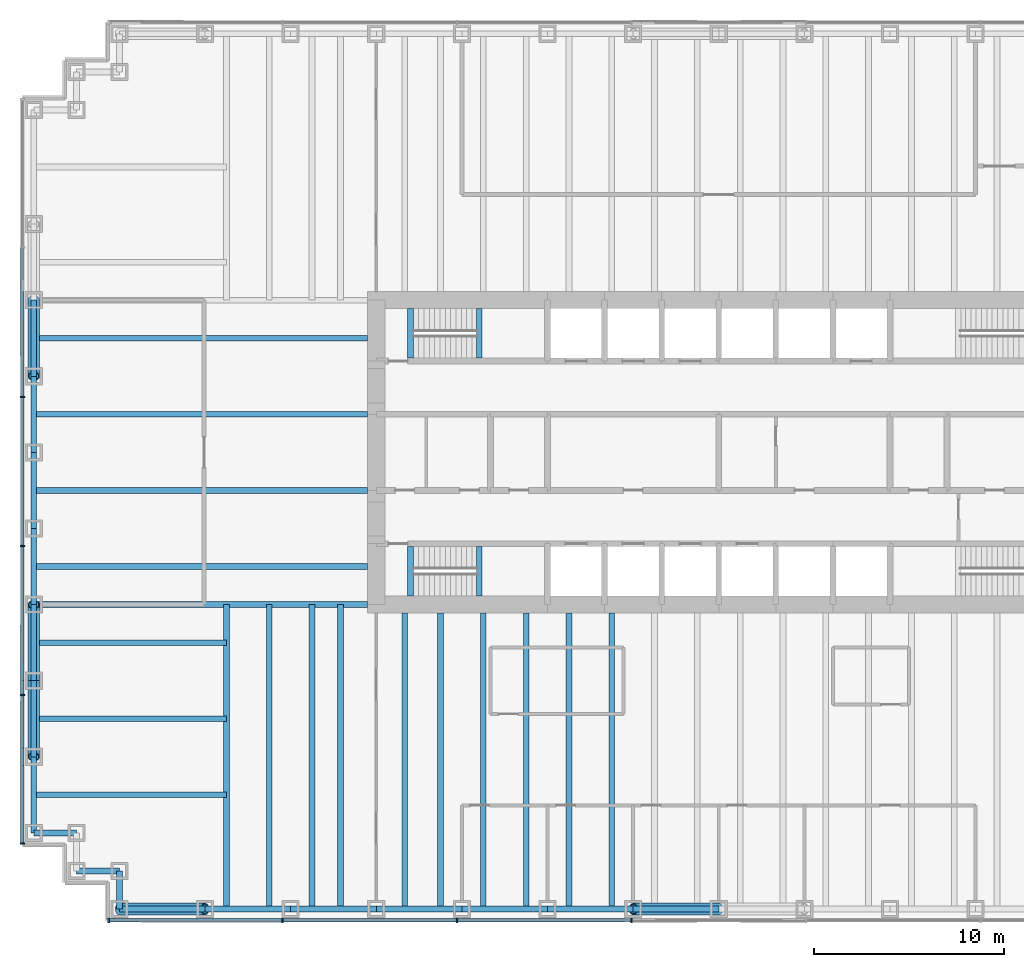
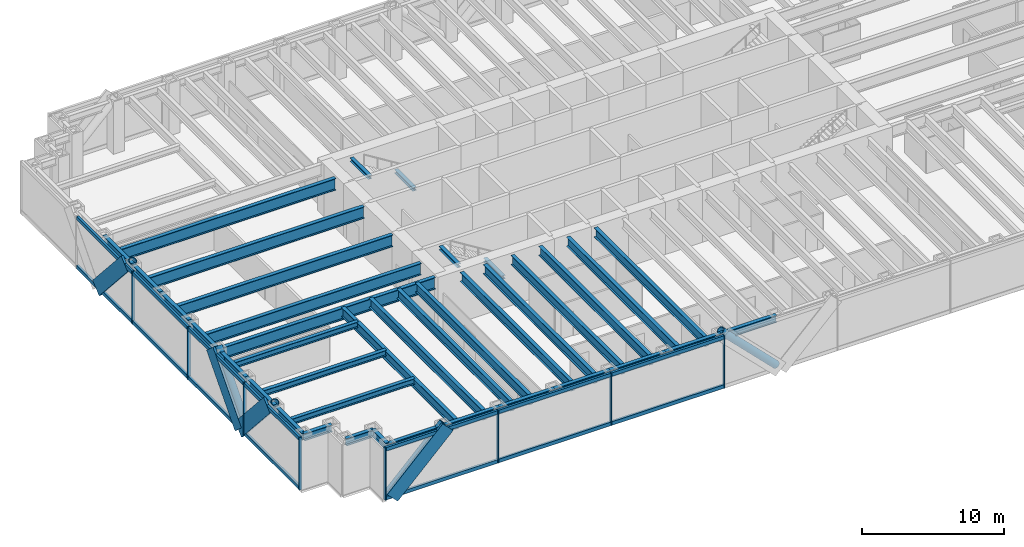
# One storey, part 2 of 13: 39 beams, 31 members, 2 elements without a shape of their own.
"""IFC4 building model written with IfcOpenShell, lengths in metres."""

from ifc_helpers import new_model, si_unit, direction, frame, origin, origin_2d, place, context, subcontext, project, spatial, rectangle, hollow_circle, i_section, extrude, material, material_profile, profile_set, type_object, element, aggregate, save


model = new_model("IFC4")

# Units and contexts
model_context = context("Model", 3, precision=1e-05, world=origin(), true_north=direction((0.0, 1.0)))
body_context = subcontext(model_context, "Body", "Model", "MODEL_VIEW")
ifc_project = project(units=[si_unit("LENGTHUNIT", "METRE"), si_unit("AREAUNIT", "SQUARE_METRE"), si_unit("VOLUMEUNIT", "CUBIC_METRE"), si_unit("PLANEANGLEUNIT", "RADIAN"), si_unit("MASSUNIT", "GRAM", prefix="KILO")], contexts=[model_context])

# Site, building, storey
site_placement = place(None, origin())
site = spatial("IfcSite", under=ifc_project, at=site_placement, CompositionType="ELEMENT")
building_placement = place(site_placement, origin())
building = spatial("IfcBuilding", under=site, at=building_placement, Name="Rheinbord Bourse Tower", CompositionType="ELEMENT")
storey_placement = place(building_placement, frame((0.0, 0.0, 32.0)))
storey = spatial("IfcBuildingStorey", under=building, at=storey_placement, Name="L06", CompositionType="ELEMENT", Elevation=32.0)

# Curtain wall, member
ifc_material_1 = material(Name="Dark glass and black aluminium", Category="aluminium")
curtain_wall_type = type_object("IfcCurtainWallType", Name="CW1 DARK GLASS CURTAIN WALL", PredefinedType="USERDEFINED", material=ifc_material_1)
curtain_wall_1_placement = place(storey_placement, origin())
curtain_wall_1 = element("IfcCurtainWall", 1, at=curtain_wall_1_placement, inside=storey, type_object=curtain_wall_type, Name="Curtain wall CW1 S L06", ObjectType="UNITISED CURTAIN WALL", PredefinedType="USERDEFINED")
ifc_material_2 = material(Name="Black anodised aluminium", Category="aluminium")
ifc_material_profile_1 = material_profile(ifc_material_2, rectangle(XDim=0.179931640625, YDim=1.2099609375, at=origin_2d()), Name="CW1 DIAGONAL MULLION 1210x180")
ifc_profile_set_1 = profile_set([ifc_material_profile_1], Name="Black anodised aluminium")
member_type_1 = type_object("IfcMemberType", Name="CW1 BLACK DIAGONAL MULLION", PredefinedType="USERDEFINED", material=ifc_profile_set_1)
member_1_placement = place(storey_placement, frame((4.5, -0.60009765625, 0.0), z_axis=(0.707106781187, 0.0, 0.707106781187), x_axis=(0.0, 1.0, 0.0)))
member_1 = element("IfcMember", 2, at=member_1_placement, type_object=member_type_1, Name="CW1 diagonal mullion d", ObjectType="DIAGONAL MULLION", PredefinedType="USERDEFINED", context=body_context, shape_type="SweptSolid", body=[
    extrude(rectangle(XDim=0.179931640625, YDim=1.2099609375, at=origin_2d()), origin(), (0.0, 0.0, 1.0), 6.364013671875),
])

# Curtain wall, members
curtain_wall_2_placement = place(storey_placement, origin())
curtain_wall_2 = element("IfcCurtainWall", 3, at=curtain_wall_2_placement, inside=storey, type_object=curtain_wall_type, Name="Curtain wall CW1 W L06", ObjectType="UNITISED CURTAIN WALL", PredefinedType="USERDEFINED")
member_2_placement = place(storey_placement, frame((-0.60009765625, 12.0, 0.0), z_axis=(0.0, -0.66436383883, 0.747409318684), x_axis=(1.0, 0.0, 0.0)))
member_2 = element("IfcMember", 4, at=member_2_placement, type_object=member_type_1, Name="CW1 diagonal mullion b", ObjectType="DIAGONAL MULLION", PredefinedType="USERDEFINED", context=body_context, shape_type="SweptSolid", body=[
    extrude(rectangle(XDim=0.179931640625, YDim=1.2099609375, at=origin_2d()), origin(), (0.0, 0.0, 1.0), 6.020751953125),
])
member_3_placement = place(storey_placement, frame((-0.60009765625, 32.0, 0.0), z_axis=(0.0, -0.66436383883, 0.747409318684), x_axis=(1.0, 0.0, 0.0)))
member_3 = element("IfcMember", 5, at=member_3_placement, type_object=member_type_1, Name="CW1 diagonal mullion c", ObjectType="DIAGONAL MULLION", PredefinedType="USERDEFINED", context=body_context, shape_type="SweptSolid", body=[
    extrude(rectangle(XDim=0.179931640625, YDim=1.2099609375, at=origin_2d()), origin(), (0.0, 0.0, 1.0), 6.020751953125),
])
member_4_placement = place(storey_placement, frame((-0.60009765625, 12.0, 0.0), z_axis=(0.0, 0.66436383883, 0.747409318684), x_axis=(-1.0, 0.0, 0.0)))
member_4 = element("IfcMember", 6, at=member_4_placement, type_object=member_type_1, Name="CW1 diagonal mullion d", ObjectType="DIAGONAL MULLION", PredefinedType="USERDEFINED", context=body_context, shape_type="SweptSolid", body=[
    extrude(rectangle(XDim=0.179931640625, YDim=1.2099609375, at=origin_2d()), origin(), (0.0, 0.0, 1.0), 6.020751953125),
])

# Member
ifc_material_3 = material(Name="Black anodised aluminium", Category="aluminium")
ifc_material_profile_2 = material_profile(ifc_material_3, rectangle(XDim=0.25, YDim=0.080078125, at=origin_2d()), Name="CW1 MULLION 80x250")
ifc_profile_set_2 = profile_set([ifc_material_profile_2], Name="Black anodised aluminium")
member_type_2 = type_object("IfcMemberType", Name="CW1 BLACK MULLION", PredefinedType="MULLION", material=ifc_profile_set_2)
member_5_placement = place(storey_placement, frame((3.93994140625, -0.60009765625, 0.0), z_axis=(0.0, 0.0, 1.0), x_axis=(0.0, 1.0, 0.0)))
member_5 = element("IfcMember", 7, at=member_5_placement, type_object=member_type_2, Name="CW1 mullion 1", PredefinedType="MULLION", context=body_context, shape_type="SweptSolid", body=[
    extrude(rectangle(XDim=0.25, YDim=0.080078125, at=origin_2d()), origin(), (0.0, 0.0, 1.0), 4.5),
])

member_6_placement = place(storey_placement, frame((13.071533203125, -0.60009765625, 0.0), z_axis=(0.0, 0.0, 1.0), x_axis=(0.0, 1.0, 0.0)))
member_6 = element("IfcMember", 8, at=member_6_placement, type_object=member_type_2, Name="CW1 mullion 2", PredefinedType="MULLION", context=body_context, shape_type="SweptSolid", body=[
    extrude(rectangle(XDim=0.25, YDim=0.080078125, at=origin_2d()), origin(), (0.0, 0.0, 1.0), 4.5),
])

member_7_placement = place(storey_placement, frame((22.242919921875, -0.60009765625, 0.0), z_axis=(0.0, 0.0, 1.0), x_axis=(0.0, 1.0, 0.0)))
member_7 = element("IfcMember", 9, at=member_7_placement, type_object=member_type_2, Name="CW1 mullion 3", PredefinedType="MULLION", context=body_context, shape_type="SweptSolid", body=[
    extrude(rectangle(XDim=0.25, YDim=0.080078125, at=origin_2d()), origin(), (0.0, 0.0, 1.0), 4.5),
])

member_8_placement = place(storey_placement, frame((31.414306640625, -0.60009765625, 0.0), z_axis=(0.0, 0.0, 1.0), x_axis=(0.0, 1.0, 0.0)))
member_8 = element("IfcMember", 10, at=member_8_placement, type_object=member_type_2, Name="CW1 mullion 4", PredefinedType="MULLION", context=body_context, shape_type="SweptSolid", body=[
    extrude(rectangle(XDim=0.25, YDim=0.080078125, at=origin_2d()), origin(), (0.0, 0.0, 1.0), 4.5),
])

member_9_placement = place(storey_placement, frame((-0.60009765625, 26.919921875, 0.0), z_axis=(0.0, 0.0, 1.0), x_axis=(1.0, 0.0, 0.0)))
member_9 = element("IfcMember", 11, at=member_9_placement, type_object=member_type_2, Name="CW1 mullion 3", PredefinedType="MULLION", context=body_context, shape_type="SweptSolid", body=[
    extrude(rectangle(XDim=0.25, YDim=0.080078125, at=origin_2d()), origin(), (0.0, 0.0, 1.0), 4.5),
])

member_10_placement = place(storey_placement, frame((-0.60009765625, 19.080078125, 0.0), z_axis=(0.0, 0.0, 1.0), x_axis=(1.0, 0.0, 0.0)))
member_10 = element("IfcMember", 12, at=member_10_placement, type_object=member_type_2, Name="CW1 mullion 4", PredefinedType="MULLION", context=body_context, shape_type="SweptSolid", body=[
    extrude(rectangle(XDim=0.25, YDim=0.080078125, at=origin_2d()), origin(), (0.0, 0.0, 1.0), 4.5),
])

member_11_placement = place(storey_placement, frame((-0.60009765625, 11.239990234375, 0.0), z_axis=(0.0, 0.0, 1.0), x_axis=(1.0, 0.0, 0.0)))
member_11 = element("IfcMember", 13, at=member_11_placement, type_object=member_type_2, Name="CW1 mullion 5", PredefinedType="MULLION", context=body_context, shape_type="SweptSolid", body=[
    extrude(rectangle(XDim=0.25, YDim=0.080078125, at=origin_2d()), origin(), (0.0, 0.0, 1.0), 4.5),
])

member_12_placement = place(storey_placement, frame((-0.60009765625, 3.43994140625, 0.0), z_axis=(0.0, 0.0, 1.0), x_axis=(1.0, 0.0, 0.0)))
member_12 = element("IfcMember", 14, at=member_12_placement, type_object=member_type_2, Name="CW1 mullion 6", PredefinedType="MULLION", context=body_context, shape_type="SweptSolid", body=[
    extrude(rectangle(XDim=0.25, YDim=0.080078125, at=origin_2d()), origin(), (0.0, 0.0, 1.0), 4.5),
])

ifc_material_4 = material(Name="Black anodised aluminium", Category="aluminium")
ifc_material_profile_3 = material_profile(ifc_material_4, rectangle(XDim=0.179931640625, YDim=0.300048828125, at=origin_2d()), Name="CW1 TRANSOM 300x180")
ifc_profile_set_3 = profile_set([ifc_material_profile_3], Name="Black anodised aluminium")
member_type_3 = type_object("IfcMemberType", Name="CW1 BLACK TRANSOM", PredefinedType="USERDEFINED", material=ifc_profile_set_3)
member_13_placement = place(storey_placement, frame((3.97998046875, -0.60009765625, 0.14990234375), z_axis=(1.0, 0.0, 0.0), x_axis=(0.0, 1.0, 0.0)))
member_13 = element("IfcMember", 15, at=member_13_placement, type_object=member_type_3, Name="CW1 transom 1.1", ObjectType="TRANSOM", PredefinedType="USERDEFINED", context=body_context, shape_type="SweptSolid", body=[
    extrude(rectangle(XDim=0.179931640625, YDim=0.300048828125, at=origin_2d()), origin(), (0.0, 0.0, 1.0), 9.051513671875),
])

member_14_placement = place(storey_placement, frame((3.97998046875, -0.60009765625, 4.35009765625), z_axis=(1.0, 0.0, 0.0), x_axis=(0.0, 1.0, 0.0)))
member_14 = element("IfcMember", 16, at=member_14_placement, type_object=member_type_3, Name="CW1 transom 1.2", ObjectType="TRANSOM", PredefinedType="USERDEFINED", context=body_context, shape_type="SweptSolid", body=[
    extrude(rectangle(XDim=0.179931640625, YDim=0.300048828125, at=origin_2d()), origin(), (0.0, 0.0, 1.0), 9.051513671875),
])

member_15_placement = place(storey_placement, frame((13.111328125, -0.60009765625, 0.14990234375), z_axis=(1.0, 0.0, 0.0), x_axis=(0.0, 1.0, 0.0)))
member_15 = element("IfcMember", 17, at=member_15_placement, type_object=member_type_3, Name="CW1 transom 2.1", ObjectType="TRANSOM", PredefinedType="USERDEFINED", context=body_context, shape_type="SweptSolid", body=[
    extrude(rectangle(XDim=0.179931640625, YDim=0.300048828125, at=origin_2d()), origin(), (0.0, 0.0, 1.0), 9.091552734375),
])

member_16_placement = place(storey_placement, frame((13.111328125, -0.60009765625, 4.35009765625), z_axis=(1.0, 0.0, 0.0), x_axis=(0.0, 1.0, 0.0)))
member_16 = element("IfcMember", 18, at=member_16_placement, type_object=member_type_3, Name="CW1 transom 2.2", ObjectType="TRANSOM", PredefinedType="USERDEFINED", context=body_context, shape_type="SweptSolid", body=[
    extrude(rectangle(XDim=0.179931640625, YDim=0.300048828125, at=origin_2d()), origin(), (0.0, 0.0, 1.0), 9.091552734375),
])

member_17_placement = place(storey_placement, frame((22.282958984375, -0.60009765625, 0.14990234375), z_axis=(1.0, 0.0, 0.0), x_axis=(0.0, 1.0, 0.0)))
member_17 = element("IfcMember", 19, at=member_17_placement, type_object=member_type_3, Name="CW1 transom 3.1", ObjectType="TRANSOM", PredefinedType="USERDEFINED", context=body_context, shape_type="SweptSolid", body=[
    extrude(rectangle(XDim=0.179931640625, YDim=0.300048828125, at=origin_2d()), origin(), (0.0, 0.0, 1.0), 9.09130859375),
])

member_18_placement = place(storey_placement, frame((22.282958984375, -0.60009765625, 4.35009765625), z_axis=(1.0, 0.0, 0.0), x_axis=(0.0, 1.0, 0.0)))
member_18 = element("IfcMember", 20, at=member_18_placement, type_object=member_type_3, Name="CW1 transom 3.2", ObjectType="TRANSOM", PredefinedType="USERDEFINED", context=body_context, shape_type="SweptSolid", body=[
    extrude(rectangle(XDim=0.179931640625, YDim=0.300048828125, at=origin_2d()), origin(), (0.0, 0.0, 1.0), 9.09130859375),
])

aggregate(curtain_wall_1, [member_5, member_6, member_7, member_8, member_13, member_14, member_15, member_16, member_17, member_18, member_1])

member_19_placement = place(storey_placement, frame((-0.60009765625, 34.719970703125, 0.14990234375), z_axis=(0.0, -1.0, 0.0), x_axis=(1.0, 0.0, 0.0)))
member_19 = element("IfcMember", 21, at=member_19_placement, type_object=member_type_3, Name="CW1 transom 2.1", ObjectType="TRANSOM", PredefinedType="USERDEFINED", context=body_context, shape_type="SweptSolid", body=[
    extrude(rectangle(XDim=0.179931640625, YDim=0.300048828125, at=origin_2d()), origin(), (0.0, 0.0, 1.0), 7.760009765625),
])

member_20_placement = place(storey_placement, frame((-0.60009765625, 34.719970703125, 4.35009765625), z_axis=(0.0, -1.0, 0.0), x_axis=(1.0, 0.0, 0.0)))
member_20 = element("IfcMember", 22, at=member_20_placement, type_object=member_type_3, Name="CW1 transom 2.2", ObjectType="TRANSOM", PredefinedType="USERDEFINED", context=body_context, shape_type="SweptSolid", body=[
    extrude(rectangle(XDim=0.179931640625, YDim=0.300048828125, at=origin_2d()), origin(), (0.0, 0.0, 1.0), 7.760009765625),
])

member_21_placement = place(storey_placement, frame((-0.60009765625, 26.8798828125, 0.14990234375), z_axis=(0.0, -1.0, 0.0), x_axis=(1.0, 0.0, 0.0)))
member_21 = element("IfcMember", 23, at=member_21_placement, type_object=member_type_3, Name="CW1 transom 3.1", ObjectType="TRANSOM", PredefinedType="USERDEFINED", context=body_context, shape_type="SweptSolid", body=[
    extrude(rectangle(XDim=0.179931640625, YDim=0.300048828125, at=origin_2d()), origin(), (0.0, 0.0, 1.0), 7.759765625),
])

member_22_placement = place(storey_placement, frame((-0.60009765625, 26.8798828125, 4.35009765625), z_axis=(0.0, -1.0, 0.0), x_axis=(1.0, 0.0, 0.0)))
member_22 = element("IfcMember", 24, at=member_22_placement, type_object=member_type_3, Name="CW1 transom 3.2", ObjectType="TRANSOM", PredefinedType="USERDEFINED", context=body_context, shape_type="SweptSolid", body=[
    extrude(rectangle(XDim=0.179931640625, YDim=0.300048828125, at=origin_2d()), origin(), (0.0, 0.0, 1.0), 7.759765625),
])

member_23_placement = place(storey_placement, frame((-0.60009765625, 19.0400390625, 0.14990234375), z_axis=(0.0, -1.0, 0.0), x_axis=(1.0, 0.0, 0.0)))
member_23 = element("IfcMember", 25, at=member_23_placement, type_object=member_type_3, Name="CW1 transom 4.1", ObjectType="TRANSOM", PredefinedType="USERDEFINED", context=body_context, shape_type="SweptSolid", body=[
    extrude(rectangle(XDim=0.179931640625, YDim=0.300048828125, at=origin_2d()), origin(), (0.0, 0.0, 1.0), 7.760009765625),
])

member_24_placement = place(storey_placement, frame((-0.60009765625, 19.0400390625, 4.35009765625), z_axis=(0.0, -1.0, 0.0), x_axis=(1.0, 0.0, 0.0)))
member_24 = element("IfcMember", 26, at=member_24_placement, type_object=member_type_3, Name="CW1 transom 4.2", ObjectType="TRANSOM", PredefinedType="USERDEFINED", context=body_context, shape_type="SweptSolid", body=[
    extrude(rectangle(XDim=0.179931640625, YDim=0.300048828125, at=origin_2d()), origin(), (0.0, 0.0, 1.0), 7.760009765625),
])

member_25_placement = place(storey_placement, frame((-0.60009765625, 11.199951171875, 0.14990234375), z_axis=(0.0, -1.0, 0.0), x_axis=(1.0, 0.0, 0.0)))
member_25 = element("IfcMember", 27, at=member_25_placement, type_object=member_type_3, Name="CW1 transom 5.1", ObjectType="TRANSOM", PredefinedType="USERDEFINED", context=body_context, shape_type="SweptSolid", body=[
    extrude(rectangle(XDim=0.179931640625, YDim=0.300048828125, at=origin_2d()), origin(), (0.0, 0.0, 1.0), 7.719970703125),
])

member_26_placement = place(storey_placement, frame((-0.60009765625, 11.199951171875, 4.35009765625), z_axis=(0.0, -1.0, 0.0), x_axis=(1.0, 0.0, 0.0)))
member_26 = element("IfcMember", 28, at=member_26_placement, type_object=member_type_3, Name="CW1 transom 5.2", ObjectType="TRANSOM", PredefinedType="USERDEFINED", context=body_context, shape_type="SweptSolid", body=[
    extrude(rectangle(XDim=0.179931640625, YDim=0.300048828125, at=origin_2d()), origin(), (0.0, 0.0, 1.0), 7.719970703125),
])

aggregate(curtain_wall_2, [member_9, member_10, member_11, member_12, member_19, member_20, member_21, member_22, member_23, member_24, member_25, member_26, member_2, member_3, member_4])

# Beams
ifc_material_5 = material(Name="Steel S460", Category="steel")
ifc_material_profile_4 = material_profile(ifc_material_5, i_section(OverallWidth=0.302001953125, OverallDepth=1.008056640625, WebThickness=0.02099609375, FlangeThickness=0.0400390625, at=origin_2d()), Name="HEM 1000")
ifc_profile_set_4 = profile_set([ifc_material_profile_4], Name="Steel S460")
beam_type_1 = type_object("IfcBeamType", Name="END BEAM HEM 1000", PredefinedType="BEAM", material=ifc_profile_set_4)
for number, where, z_axis, x_axis, name in (
    (29, (0.0, 18.0, 3.81591796875), (1.0, 0.0, 0.0), (0.0, 1.0, 0.0), "End beam west 18 L07"),
    (30, (0.0, 22.0, 3.81591796875), (1.0, 0.0, 0.0), (0.0, 1.0, 0.0), "End beam west 22 L07"),
    (31, (0.0, 26.0, 3.81591796875), (1.0, 0.0, 0.0), (0.0, 1.0, 0.0), "End beam west 26 L07"),
    (32, (0.0, 30.0, 3.81591796875), (1.0, 0.0, 0.0), (0.0, 1.0, 0.0), "End beam west 30 L07"),
):
    element("IfcBeam", number, at=place(storey_placement, frame(where, z_axis=z_axis, x_axis=x_axis)), inside=storey, type_object=beam_type_1, Name=name, PredefinedType="BEAM", context=body_context, shape_type="SweptSolid", body=[
        extrude(i_section(OverallWidth=0.302001953125, OverallDepth=1.008056640625, WebThickness=0.02099609375, FlangeThickness=0.0400390625, at=origin_2d()), origin(), (0.0, 0.0, 1.0), 17.550048828125),
    ])
ifc_material_6 = material(Name="Steel S460", Category="steel")
ifc_material_profile_5 = material_profile(ifc_material_6, i_section(OverallWidth=0.300048828125, OverallDepth=0.800048828125, WebThickness=0.017578125, FlangeThickness=0.032958984375, at=origin_2d()), Name="HEB 800")
ifc_profile_set_5 = profile_set([ifc_material_profile_5], Name="Steel S460")
beam_type_2 = type_object("IfcBeamType", Name="FLOOR BEAM HEB 800", PredefinedType="BEAM", material=ifc_profile_set_5)
for number, where, z_axis, x_axis, name in (
    (33, (10.125, 0.0, 3.919921875), (0.0, 1.0, 0.0), (-1.0, 0.0, 0.0), "Floor beam S-9a L07"),
    (34, (12.375, 0.0, 3.919921875), (0.0, 1.0, 0.0), (-1.0, 0.0, 0.0), "Floor beam S-9b L07"),
    (35, (14.625, 0.0, 3.919921875), (0.0, 1.0, 0.0), (-1.0, 0.0, 0.0), "Floor beam S-13.5a L07"),
    (36, (16.125, 0.0, 3.919921875), (0.0, 1.0, 0.0), (-1.0, 0.0, 0.0), "Floor beam S-13.5b L07"),
):
    element("IfcBeam", number, at=place(storey_placement, frame(where, z_axis=z_axis, x_axis=x_axis)), inside=storey, type_object=beam_type_2, Name=name, PredefinedType="BEAM", context=body_context, shape_type="SweptSolid", body=[
        extrude(i_section(OverallWidth=0.300048828125, OverallDepth=0.800048828125, WebThickness=0.017578125, FlangeThickness=0.032958984375, at=origin_2d()), origin(), (0.0, 0.0, 1.0), 16.0),
    ])
for number, where, z_axis, x_axis, name in (
    (37, (19.5, 0.0, 3.919921875), (0.0, 1.0, 0.0), (-1.0, 0.0, 0.0), "Floor beam S-18a L07"),
    (38, (21.375, 0.0, 3.919921875), (0.0, 1.0, 0.0), (-1.0, 0.0, 0.0), "Floor beam S-18b L07"),
    (39, (23.625, 0.0, 3.919921875), (0.0, 1.0, 0.0), (-1.0, 0.0, 0.0), "Floor beam S-22.5a L07"),
    (40, (25.875, 0.0, 3.919921875), (0.0, 1.0, 0.0), (-1.0, 0.0, 0.0), "Floor beam S-22.5b L07"),
    (41, (28.125, 0.0, 3.919921875), (0.0, 1.0, 0.0), (-1.0, 0.0, 0.0), "Floor beam S-27a L07"),
    (42, (30.375, 0.0, 3.919921875), (0.0, 1.0, 0.0), (-1.0, 0.0, 0.0), "Floor beam S-27b L07"),
):
    element("IfcBeam", number, at=place(storey_placement, frame(where, z_axis=z_axis, x_axis=x_axis)), inside=storey, type_object=beam_type_2, Name=name, PredefinedType="BEAM", context=body_context, shape_type="SweptSolid", body=[
        extrude(i_section(OverallWidth=0.300048828125, OverallDepth=0.800048828125, WebThickness=0.017578125, FlangeThickness=0.032958984375, at=origin_2d()), origin(), (0.0, 0.0, 1.0), 15.550048828125),
    ])
ifc_material_7 = material(Name="Steel S460", Category="steel")
ifc_material_profile_6 = material_profile(ifc_material_7, i_section(OverallWidth=0.302001953125, OverallDepth=1.008056640625, WebThickness=0.02099609375, FlangeThickness=0.0400390625, at=origin_2d()), Name="HEM 1000")
ifc_profile_set_6 = profile_set([ifc_material_profile_6], Name="Steel S460")
beam_type_3 = type_object("IfcBeamType", Name="GIRDER HEM 1000", PredefinedType="BEAM", material=ifc_profile_set_6)
beam_1_placement = place(storey_placement, frame((0.0, 16.0, 3.81591796875), z_axis=(1.0, 0.0, 0.0), x_axis=(0.0, 1.0, 0.0)))
element("IfcBeam", 43, at=beam_1_placement, inside=storey, type_object=beam_type_3, Name="Girder west 16 L07", PredefinedType="BEAM", context=body_context, shape_type="SweptSolid", body=[
    extrude(i_section(OverallWidth=0.302001953125, OverallDepth=1.008056640625, WebThickness=0.02099609375, FlangeThickness=0.0400390625, at=origin_2d()), origin(), (0.0, 0.0, 1.0), 17.550048828125),
])
ifc_material_8 = material(Name="Steel S460", Category="steel")
ifc_material_profile_7 = material_profile(ifc_material_8, i_section(OverallWidth=0.300048828125, OverallDepth=0.300048828125, WebThickness=0.010986328125, FlangeThickness=0.01904296875, at=origin_2d()), Name="HEB 300")
ifc_profile_set_7 = profile_set([ifc_material_profile_7], Name="Steel S460")
beam_type_4 = type_object("IfcBeamType", Name="LANDING TRIMMER HEB 300", PredefinedType="BEAM", material=ifc_profile_set_7)
for number, where, z_axis, x_axis, name in (
    (44, (23.409912109375, 16.449951171875, 1.89990234375), (0.0, 1.0, 0.0), (-1.0, 0.0, 0.0), "Landing trimmer ST1 L06"),
    (45, (19.800048828125, 16.449951171875, 4.169921875), (0.0, 1.0, 0.0), (-1.0, 0.0, 0.0), "Well trimmer ST1 under L07"),
    (46, (23.409912109375, 28.949951171875, 1.89990234375), (0.0, 1.0, 0.0), (-1.0, 0.0, 0.0), "Landing trimmer ST2 L06"),
    (47, (19.800048828125, 28.949951171875, 4.169921875), (0.0, 1.0, 0.0), (-1.0, 0.0, 0.0), "Well trimmer ST2 under L07"),
):
    element("IfcBeam", number, at=place(storey_placement, frame(where, z_axis=z_axis, x_axis=x_axis)), inside=storey, type_object=beam_type_4, Name=name, PredefinedType="BEAM", context=body_context, shape_type="SweptSolid", body=[
        extrude(i_section(OverallWidth=0.300048828125, OverallDepth=0.300048828125, WebThickness=0.010986328125, FlangeThickness=0.01904296875, at=origin_2d()), origin(), (0.0, 0.0, 1.0), 2.60009765625),
    ])

# Members
ifc_material_9 = material(Name="Steel S460", Category="steel")
ifc_material_profile_8 = material_profile(ifc_material_9, hollow_circle(Radius=0.304931640625, WallThickness=0.050048828125, at=origin_2d()), Name="CHS 610x50")
ifc_profile_set_8 = profile_set([ifc_material_profile_8], Name="Steel S460")
member_type_4 = type_object("IfcMemberType", Name="MEGABRACE CHS 610x50", PredefinedType="BRACE", material=ifc_profile_set_8)
for number, where, z_axis, x_axis, name in (
    (48, (36.0, 0.0, 0.0), (-0.707106781187, 0.0, 0.707106781187), (0.0, -1.0, 0.0), "Megabrace S face line b L06"),
    (49, (4.5, 0.0, 0.0), (0.707106781187, 0.0, 0.707106781187), (0.0, 1.0, 0.0), "Megabrace S face line d L06"),
):
    element("IfcMember", number, at=place(storey_placement, frame(where, z_axis=z_axis, x_axis=x_axis)), inside=storey, type_object=member_type_4, Name=name, PredefinedType="BRACE", context=body_context, shape_type="SweptSolid", body=[
        extrude(hollow_circle(Radius=0.304931640625, WallThickness=0.050048828125, at=origin_2d()), origin(), (0.0, 0.0, 1.0), 6.364013671875),
    ])
for number, where, z_axis, x_axis, name in (
    (50, (0.0, 12.0, 0.0), (0.0, -0.66436383883, 0.747409318684), (1.0, 0.0, 0.0), "Megabrace W face line b L06"),
    (51, (0.0, 32.0, 0.0), (0.0, -0.66436383883, 0.747409318684), (1.0, 0.0, 0.0), "Megabrace W face line c L06"),
    (52, (0.0, 12.0, 0.0), (0.0, 0.66436383883, 0.747409318684), (-1.0, 0.0, 0.0), "Megabrace W face line d L06"),
):
    element("IfcMember", number, at=place(storey_placement, frame(where, z_axis=z_axis, x_axis=x_axis)), inside=storey, type_object=member_type_4, Name=name, PredefinedType="BRACE", context=body_context, shape_type="SweptSolid", body=[
        extrude(hollow_circle(Radius=0.304931640625, WallThickness=0.050048828125, at=origin_2d()), origin(), (0.0, 0.0, 1.0), 6.020751953125),
    ])

# Beams
ifc_material_10 = material(Name="Steel S460", Category="steel")
ifc_material_profile_9 = material_profile(ifc_material_10, i_section(OverallWidth=0.304931640625, OverallDepth=0.6201171875, WebThickness=0.02099609375, FlangeThickness=0.0400390625, at=origin_2d()), Name="HEM 600")
ifc_profile_set_9 = profile_set([ifc_material_profile_9], Name="Steel S460")
beam_type_5 = type_object("IfcBeamType", Name="SPANDREL HEM 600", PredefinedType="SPANDREL", material=ifc_profile_set_9)
for number, where, z_axis, x_axis, name in (
    (53, (4.5, 0.0, 4.010009765625), (1.0, 0.0, 0.0), (0.0, 1.0, 0.0), "Spandrel SW-E-S-9 under L07"),
    (54, (9.0, 0.0, 4.010009765625), (1.0, 0.0, 0.0), (0.0, 1.0, 0.0), "Spandrel S-9-S-13.5 under L07"),
    (55, (13.5, 0.0, 4.010009765625), (1.0, 0.0, 0.0), (0.0, 1.0, 0.0), "Spandrel S-13.5-S-18 under L07"),
    (56, (18.0, 0.0, 4.010009765625), (1.0, 0.0, 0.0), (0.0, 1.0, 0.0), "Spandrel S-18-S-22.5 under L07"),
    (57, (22.5, 0.0, 4.010009765625), (1.0, 0.0, 0.0), (0.0, 1.0, 0.0), "Spandrel S-22.5-S-27 under L07"),
    (58, (27.0, 0.0, 4.010009765625), (1.0, 0.0, 0.0), (0.0, 1.0, 0.0), "Spandrel S-27-S-31.5 under L07"),
    (59, (31.5, 0.0, 4.010009765625), (1.0, 0.0, 0.0), (0.0, 1.0, 0.0), "Spandrel S-31.5-S-36 under L07"),
):
    element("IfcBeam", number, at=place(storey_placement, frame(where, z_axis=z_axis, x_axis=x_axis)), inside=storey, type_object=beam_type_5, Name=name, PredefinedType="SPANDREL", context=body_context, shape_type="SweptSolid", body=[
        extrude(i_section(OverallWidth=0.304931640625, OverallDepth=0.6201171875, WebThickness=0.02099609375, FlangeThickness=0.0400390625, at=origin_2d()), origin(), (0.0, 0.0, 1.0), 4.5),
    ])
for number, where, z_axis, x_axis, name in (
    (60, (0.0, 32.0, 4.010009765625), (0.0, -1.0, 0.0), (1.0, 0.0, 0.0), "Spandrel W-32-W-28 under L07"),
    (61, (0.0, 28.0, 4.010009765625), (0.0, -1.0, 0.0), (1.0, 0.0, 0.0), "Spandrel W-28-W-24 under L07"),
    (62, (0.0, 24.0, 4.010009765625), (0.0, -1.0, 0.0), (1.0, 0.0, 0.0), "Spandrel W-24-W-20 under L07"),
    (63, (0.0, 20.0, 4.010009765625), (0.0, -1.0, 0.0), (1.0, 0.0, 0.0), "Spandrel W-20-W-16 under L07"),
    (64, (0.0, 16.0, 4.010009765625), (0.0, -1.0, 0.0), (1.0, 0.0, 0.0), "Spandrel W-16-W-12 under L07"),
    (65, (0.0, 12.0, 4.010009765625), (0.0, -1.0, 0.0), (1.0, 0.0, 0.0), "Spandrel W-12-W-8 under L07"),
    (66, (0.0, 8.0, 4.010009765625), (0.0, -1.0, 0.0), (1.0, 0.0, 0.0), "Spandrel W-8-SW-A under L07"),
):
    element("IfcBeam", number, at=place(storey_placement, frame(where, z_axis=z_axis, x_axis=x_axis)), inside=storey, type_object=beam_type_5, Name=name, PredefinedType="SPANDREL", context=body_context, shape_type="SweptSolid", body=[
        extrude(i_section(OverallWidth=0.304931640625, OverallDepth=0.6201171875, WebThickness=0.02099609375, FlangeThickness=0.0400390625, at=origin_2d()), origin(), (0.0, 0.0, 1.0), 4.0),
    ])
for number, where, z_axis, x_axis, name in (
    (67, (0.0, 4.0, 4.010009765625), (1.0, 0.0, 0.0), (0.0, 1.0, 0.0), "Spandrel SW-A-SW-B under L07"),
    (68, (2.25, 2.0, 4.010009765625), (1.0, 0.0, 0.0), (0.0, 1.0, 0.0), "Spandrel SW-C-SW-D under L07"),
):
    element("IfcBeam", number, at=place(storey_placement, frame(where, z_axis=z_axis, x_axis=x_axis)), inside=storey, type_object=beam_type_5, Name=name, PredefinedType="SPANDREL", context=body_context, shape_type="SweptSolid", body=[
        extrude(i_section(OverallWidth=0.304931640625, OverallDepth=0.6201171875, WebThickness=0.02099609375, FlangeThickness=0.0400390625, at=origin_2d()), origin(), (0.0, 0.0, 1.0), 2.25),
    ])
beam_2_placement = place(storey_placement, frame((4.5, 2.0, 4.010009765625), z_axis=(0.0, -1.0, 0.0), x_axis=(1.0, 0.0, 0.0)))
element("IfcBeam", 69, at=beam_2_placement, inside=storey, type_object=beam_type_5, Name="Spandrel SW-D-SW-E under L07", PredefinedType="SPANDREL", context=body_context, shape_type="SweptSolid", body=[
    extrude(i_section(OverallWidth=0.304931640625, OverallDepth=0.6201171875, WebThickness=0.02099609375, FlangeThickness=0.0400390625, at=origin_2d()), origin(), (0.0, 0.0, 1.0), 2.0),
])
ifc_material_11 = material(Name="Steel S460", Category="steel")
ifc_material_profile_10 = material_profile(ifc_material_11, i_section(OverallWidth=0.300048828125, OverallDepth=0.5, WebThickness=0.014404296875, FlangeThickness=0.028076171875, at=origin_2d()), Name="HEB 500")
ifc_profile_set_10 = profile_set([ifc_material_profile_10], Name="Steel S460")
beam_type_6 = type_object("IfcBeamType", Name="TIE BEAM HEB 500", PredefinedType="JOIST", material=ifc_profile_set_10)
for number, where, z_axis, x_axis, name in (
    (70, (0.0, 6.0, 4.070068359375), (1.0, 0.0, 0.0), (0.0, 1.0, 0.0), "Tie west 6 L07"),
    (71, (0.0, 10.0, 4.070068359375), (1.0, 0.0, 0.0), (0.0, 1.0, 0.0), "Tie west 10 L07"),
    (72, (0.0, 14.0, 4.070068359375), (1.0, 0.0, 0.0), (0.0, 1.0, 0.0), "Tie west 14 L07"),
):
    element("IfcBeam", number, at=place(storey_placement, frame(where, z_axis=z_axis, x_axis=x_axis)), inside=storey, type_object=beam_type_6, Name=name, PredefinedType="JOIST", context=body_context, shape_type="SweptSolid", body=[
        extrude(i_section(OverallWidth=0.300048828125, OverallDepth=0.5, WebThickness=0.014404296875, FlangeThickness=0.028076171875, at=origin_2d()), origin(), (0.0, 0.0, 1.0), 10.125),
    ])

save(model, "model.ifc")
